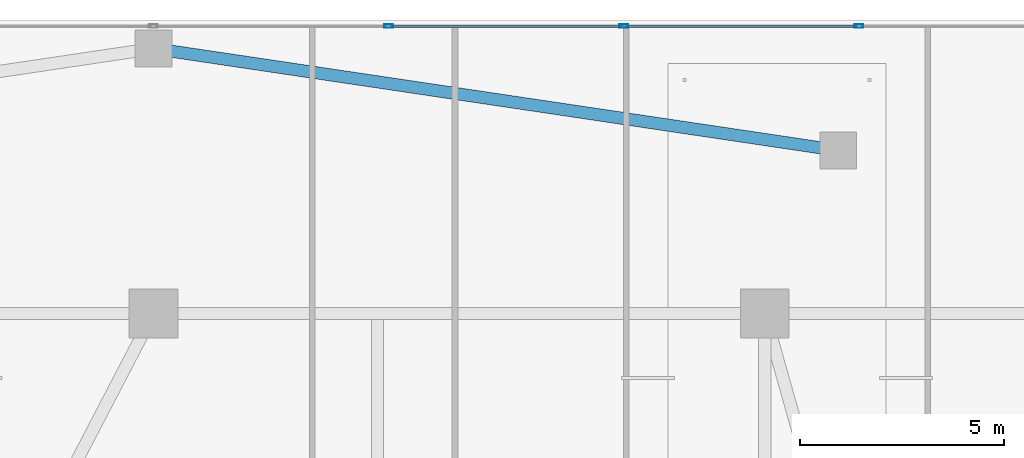
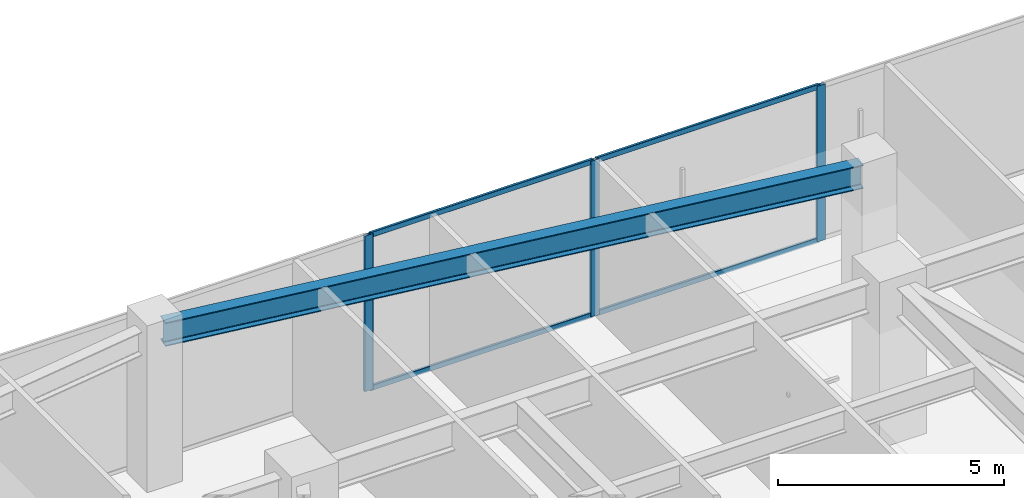
# One storey, part 14 of 27: 7 members, 1 beam, 1 element without a shape of its own.
"""IFC4 building model written with IfcOpenShell, lengths in metres."""

from ifc_helpers import new_model, si_unit, direction, frame, origin, origin_2d, place, context, subcontext, project, spatial, hollow_rectangle, i_section, extrude, material, layer, layer_set, material_profile, profile_set, type_object, element, aggregate, save


model = new_model("IFC4")

# Units and contexts
model_context = context("Model", 3, precision=1e-05, world=origin(), true_north=direction((0.0, 1.0)))
body_context = subcontext(model_context, "Body", "Model", "MODEL_VIEW")
ifc_project = project(units=[si_unit("LENGTHUNIT", "METRE"), si_unit("AREAUNIT", "SQUARE_METRE"), si_unit("VOLUMEUNIT", "CUBIC_METRE"), si_unit("PLANEANGLEUNIT", "RADIAN"), si_unit("MASSUNIT", "GRAM", prefix="KILO")], contexts=[model_context])

# Site, building, storey
site_placement = place(None, origin())
site = spatial("IfcSite", under=ifc_project, at=site_placement, CompositionType="ELEMENT")
building_placement = place(site_placement, origin())
building = spatial("IfcBuilding", under=site, at=building_placement, Name="Tarnavaz Court Tower", CompositionType="ELEMENT")
storey_placement = place(building_placement, frame((0.0, 0.0, 9.89990234375)))
storey = spatial("IfcBuildingStorey", under=building, at=storey_placement, Name="L02", CompositionType="ELEMENT", Elevation=9.89990234375)

# Beam
ifc_material_1 = material(Name="Steel S355", Category="steel")
ifc_material_profile_1 = material_profile(ifc_material_1, i_section(OverallWidth=0.300048828125, OverallDepth=0.639892578125, WebThickness=0.013427734375, FlangeThickness=0.02587890625, FilletRadius=0.027099609375, at=origin_2d()), Name="HEA 650")
ifc_profile_set_1 = profile_set([ifc_material_profile_1], Name="Steel S355")
beam_type = type_object("IfcBeamType", Name="BM-SP-HEA650", PredefinedType="SPANDREL", material=ifc_profile_set_1)
beam_placement = place(storey_placement, frame((0.19775390625, 29.2705078125, 3.880126953125), z_axis=(0.989108332922, -0.147189353368, 0.0), x_axis=(0.147189353368, 0.989108332922, 0.0)))
element("IfcBeam", 1, at=beam_placement, inside=storey, type_object=beam_type, Name="L02 Beam PR-POD-N2-POD-N3", PredefinedType="SPANDREL", context=body_context, shape_type="SweptSolid", body=[
    extrude(i_section(OverallWidth=0.300048828125, OverallDepth=0.639892578125, WebThickness=0.013427734375, FlangeThickness=0.02587890625, FilletRadius=0.027099609375, at=origin_2d()), origin(), (0.0, 0.0, 1.0), 16.585205078125),
])

# Curtain wall, members
ifc_material_2 = material(Name="Anodised Aluminium 6063-T6 and Solar Low-E Glazing", Category="aluminium")
ifc_layer = layer(ifc_material_2, 0.18994140625)
ifc_layer_set = layer_set([ifc_layer], Name="Anodised Aluminium 6063-T6 and Solar Low-E Glazing")
curtain_wall_type = type_object("IfcCurtainWallType", Name="CW-SYS-01", PredefinedType="NOTDEFINED", material=ifc_layer_set)
curtain_wall_placement = place(storey_placement, origin())
curtain_wall = element("IfcCurtainWall", 2, at=curtain_wall_placement, inside=storey, type_object=curtain_wall_type, Name="L02 Clinic Podium Curtain Wall 1", PredefinedType="NOTDEFINED")
ifc_material_3 = material(Name="Anodised Aluminium 6063-T6", Category="aluminium")
ifc_material_profile_2 = material_profile(ifc_material_3, hollow_rectangle(XDim=0.0849609375, YDim=0.219970703125, WallThickness=0.006103515625, InnerFilletRadius=0.006103515625, OuterFilletRadius=0.011962890625, at=origin_2d()), Name="ALU RHS 220X85X6")
ifc_profile_set_2 = profile_set([ifc_material_profile_2], Name="Anodised Aluminium 6063-T6")
member_type_1 = type_object("IfcMemberType", Name="CW-MUL-220", PredefinedType="MULLION", material=ifc_profile_set_2)
member_1_placement = place(storey_placement, frame((5.77001953125, 29.85009765625, 0.0), z_axis=(0.0, 0.0, 1.0), x_axis=(0.0, 1.0, 0.0)))
member_1 = element("IfcMember", 3, at=member_1_placement, type_object=member_type_1, Name="CW mullion 7", PredefinedType="MULLION", context=body_context, shape_type="SweptSolid", body=[
    extrude(hollow_rectangle(XDim=0.0849609375, YDim=0.219970703125, WallThickness=0.006103515625, InnerFilletRadius=0.006103515625, OuterFilletRadius=0.011962890625, at=origin_2d()), origin(), (0.0, 0.0, 1.0), 4.2001953125),
])
member_2_placement = place(storey_placement, frame((11.5400390625, 29.85009765625, 0.0), z_axis=(0.0, 0.0, 1.0), x_axis=(0.0, 1.0, 0.0)))
member_2 = element("IfcMember", 4, at=member_2_placement, type_object=member_type_1, Name="CW mullion 8", PredefinedType="MULLION", context=body_context, shape_type="SweptSolid", body=[
    extrude(hollow_rectangle(XDim=0.0849609375, YDim=0.219970703125, WallThickness=0.006103515625, InnerFilletRadius=0.006103515625, OuterFilletRadius=0.011962890625, at=origin_2d()), origin(), (0.0, 0.0, 1.0), 4.2001953125),
])
member_3_placement = place(storey_placement, frame((17.31005859375, 29.85009765625, 0.0), z_axis=(0.0, 0.0, 1.0), x_axis=(0.0, 1.0, 0.0)))
member_3 = element("IfcMember", 5, at=member_3_placement, type_object=member_type_1, Name="CW mullion 9", PredefinedType="MULLION", context=body_context, shape_type="SweptSolid", body=[
    extrude(hollow_rectangle(XDim=0.0849609375, YDim=0.219970703125, WallThickness=0.006103515625, InnerFilletRadius=0.006103515625, OuterFilletRadius=0.011962890625, at=origin_2d()), origin(), (0.0, 0.0, 1.0), 4.2001953125),
])
ifc_material_profile_3 = material_profile(ifc_material_3, hollow_rectangle(XDim=0.06494140625, YDim=0.139892578125, WallThickness=0.00390625, InnerFilletRadius=0.00390625, OuterFilletRadius=0.008056640625, at=origin_2d()), Name="ALU RHS 140X65X4")
ifc_profile_set_3 = profile_set([ifc_material_profile_3], Name="Anodised Aluminium 6063-T6")
member_type_2 = type_object("IfcMemberType", Name="CW-TRN-140", PredefinedType="USERDEFINED", material=ifc_profile_set_3)
member_4_placement = place(storey_placement, frame((5.8125, 29.85009765625, 0.03271484375), z_axis=(1.0, 0.0, 0.0), x_axis=(0.0, 1.0, 0.0)))
member_4 = element("IfcMember", 6, at=member_4_placement, type_object=member_type_2, Name="CW transom 7.1", ObjectType="TRANSOM", PredefinedType="USERDEFINED", context=body_context, shape_type="SweptSolid", body=[
    extrude(hollow_rectangle(XDim=0.06494140625, YDim=0.139892578125, WallThickness=0.00390625, InnerFilletRadius=0.00390625, OuterFilletRadius=0.008056640625, at=origin_2d()), origin(), (0.0, 0.0, 1.0), 5.68505859375),
])
member_5_placement = place(storey_placement, frame((5.8125, 29.85009765625, 4.16748046875), z_axis=(1.0, 0.0, 0.0), x_axis=(0.0, 1.0, 0.0)))
member_5 = element("IfcMember", 7, at=member_5_placement, type_object=member_type_2, Name="CW transom 7.2", ObjectType="TRANSOM", PredefinedType="USERDEFINED", context=body_context, shape_type="SweptSolid", body=[
    extrude(hollow_rectangle(XDim=0.06494140625, YDim=0.139892578125, WallThickness=0.00390625, InnerFilletRadius=0.00390625, OuterFilletRadius=0.008056640625, at=origin_2d()), origin(), (0.0, 0.0, 1.0), 5.68505859375),
])
member_6_placement = place(storey_placement, frame((11.58251953125, 29.85009765625, 0.03271484375), z_axis=(1.0, 0.0, 0.0), x_axis=(0.0, 1.0, 0.0)))
member_6 = element("IfcMember", 8, at=member_6_placement, type_object=member_type_2, Name="CW transom 8.1", ObjectType="TRANSOM", PredefinedType="USERDEFINED", context=body_context, shape_type="SweptSolid", body=[
    extrude(hollow_rectangle(XDim=0.06494140625, YDim=0.139892578125, WallThickness=0.00390625, InnerFilletRadius=0.00390625, OuterFilletRadius=0.008056640625, at=origin_2d()), origin(), (0.0, 0.0, 1.0), 5.68505859375),
])
member_7_placement = place(storey_placement, frame((11.58251953125, 29.85009765625, 4.16748046875), z_axis=(1.0, 0.0, 0.0), x_axis=(0.0, 1.0, 0.0)))
member_7 = element("IfcMember", 9, at=member_7_placement, type_object=member_type_2, Name="CW transom 8.2", ObjectType="TRANSOM", PredefinedType="USERDEFINED", context=body_context, shape_type="SweptSolid", body=[
    extrude(hollow_rectangle(XDim=0.06494140625, YDim=0.139892578125, WallThickness=0.00390625, InnerFilletRadius=0.00390625, OuterFilletRadius=0.008056640625, at=origin_2d()), origin(), (0.0, 0.0, 1.0), 5.68505859375),
])
aggregate(curtain_wall, [member_1, member_2, member_3, member_4, member_5, member_6, member_7])

save(model, "model.ifc")
